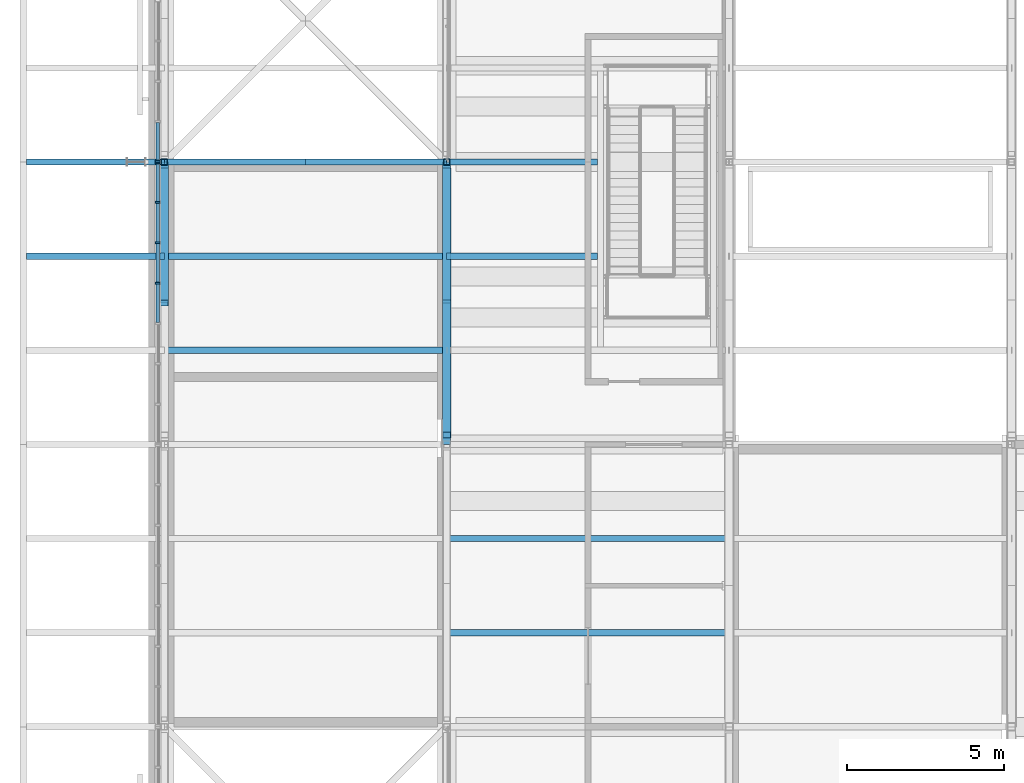
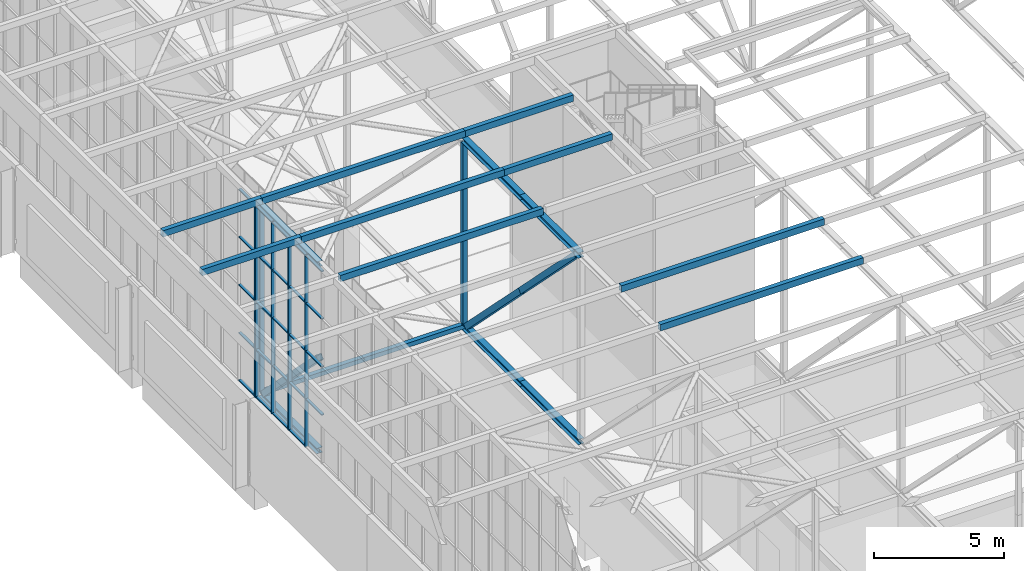
# One storey, part 26 of 646: 53 members, 2 elements without a shape of their own.
"""IFC4 building model written with IfcOpenShell, lengths in metres."""

import ifcopenshell
import ifcopenshell.guid

model = None  # the IFC model being written
_history = None  # IfcOwnerHistory: only IFC2X3 demands one
_inside = {}  # id of a spatial element -> (the spatial element, [elements in it])
_under = {}  # id of a project, library or spatial element -> (it, [spatial elements below it])
_declared = {}  # id of a project -> (the project, [libraries it declares])
_typed = {}  # id of a type object -> (the type object, [elements of that type])
_made_of = {}  # id of a material, layer set ... -> (it, [elements and type objects made of it])


def new_model(schema):
    """Start an empty IFC model of exactly this schema.

    Asked for "IFC4X3", IfcOpenShell would pick the latest addendum, in which some entities
    have other attributes; the version numbers below select the first issue.
    IFC2X3 requires an IfcOwnerHistory on every rooted entity: one is made here for all.
    """
    global model, _history
    if schema == "IFC4X3":
        model = ifcopenshell.file(schema_version=(4, 3, 0, 0))
    else:
        model = ifcopenshell.file(schema=schema)
    _inside.clear()
    _under.clear()
    _declared.clear()
    _typed.clear()
    _made_of.clear()
    _history = None
    if model.schema == "IFC2X3":
        org = make("IfcOrganization", Name="unknown")
        user = make(
            "IfcPersonAndOrganization",
            ThePerson=make("IfcPerson", FamilyName="unknown"),
            TheOrganization=org,
        )
        app = make(
            "IfcApplication",
            ApplicationDeveloper=org,
            Version="unknown",
            ApplicationFullName="unknown",
            ApplicationIdentifier="unknown",
        )
        _history = make(
            "IfcOwnerHistory",
            OwningUser=user,
            OwningApplication=app,
            ChangeAction="ADDED",
            CreationDate=0,
        )
    return model


def make(cls, **values):
    """One entity of the class cls with the attributes given. An attribute that is None is left unset."""
    return model.create_entity(
        cls, **{name: value for name, value in values.items() if value is not None}
    )


def rooted(cls, **values):
    """An entity with a GlobalId (a new one), such as an element, a storey or a relation."""
    return make(cls, GlobalId=ifcopenshell.guid.new(), OwnerHistory=_history, **values)


def si_unit(unit_type, name, prefix=None):
    """IfcSIUnit, for example si_unit("LENGTHUNIT", "METRE", prefix="MILLI")."""
    return make("IfcSIUnit", UnitType=unit_type, Prefix=prefix, Name=name)


def assignment(units):
    """IfcUnitAssignment: the units of a project."""
    return None if units is None else make("IfcUnitAssignment", Units=units)


def point(xyz):
    """IfcCartesianPoint."""
    return None if xyz is None else make("IfcCartesianPoint", Coordinates=xyz)


def direction(xyz):
    """IfcDirection."""
    return None if xyz is None else make("IfcDirection", DirectionRatios=xyz)


def frame(location, z_axis=None, x_axis=None):
    """IfcAxis2Placement3D, a coordinate frame: its origin and axes. An axis left out is left unset."""
    return make(
        "IfcAxis2Placement3D",
        Location=point(location),
        Axis=direction(z_axis),
        RefDirection=direction(x_axis),
    )


def frame_2d(location, x_axis=None):
    """IfcAxis2Placement2D, a coordinate frame in the plane: its origin and x axis."""
    return make(
        "IfcAxis2Placement2D", Location=point(location), RefDirection=direction(x_axis)
    )


def origin():
    """The frame at (0, 0, 0) with its axes left unset."""
    return frame((0.0, 0.0, 0.0))


def origin_2d():
    """The frame at (0, 0) in the plane with its x axis left unset."""
    return frame_2d((0.0, 0.0))


def place(relative_to, where):
    """IfcLocalPlacement: puts the frame where relative to a parent placement (None: the world)."""
    return make(
        "IfcLocalPlacement", PlacementRelTo=relative_to, RelativePlacement=where
    )


def context(
    kind, dimensions, precision=None, world=None, true_north=None, identifier=None
):
    """IfcGeometricRepresentationContext, for example the 3D "Model" context."""
    return make(
        "IfcGeometricRepresentationContext",
        ContextIdentifier=identifier,
        ContextType=kind,
        CoordinateSpaceDimension=dimensions,
        Precision=precision,
        WorldCoordinateSystem=world,
        TrueNorth=true_north,
    )


def subcontext(parent, identifier, kind, view, scale=None):
    """IfcGeometricRepresentationSubContext, for example "Body" below "Model"."""
    return make(
        "IfcGeometricRepresentationSubContext",
        ContextIdentifier=identifier,
        ContextType=kind,
        ParentContext=parent,
        TargetScale=scale,
        TargetView=view,
    )


def project(units=None, contexts=None):
    """IfcProject with its units and contexts."""
    return rooted(
        "IfcProject",
        Name="project",
        RepresentationContexts=contexts,
        UnitsInContext=assignment(units),
    )


def spatial(cls, under=None, at=None, **own):
    """A site, building, storey or space (cls), placed at a placement, below another one or the project."""
    s = rooted(cls, ObjectPlacement=at, **own)
    if under is not None:
        _under.setdefault(under.id(), (under, []))[1].append(s)
    return s


def profile(cls, at=None, kind="AREA", **sizes):
    """A parametric profile (cls). Its sizes go by their IFC names, for example OverallWidth=200.0."""
    return make(cls, ProfileType=kind, Position=at, **sizes)


def rectangle(**sizes):
    """IfcRectangleProfileDef."""
    return profile("IfcRectangleProfileDef", **sizes)


def hollow_rectangle(**sizes):
    """IfcRectangleHollowProfileDef."""
    return profile("IfcRectangleHollowProfileDef", **sizes)


def i_section(**sizes):
    """IfcIShapeProfileDef."""
    return profile("IfcIShapeProfileDef", **sizes)


def extrude(swept, where, along, depth):
    """IfcExtrudedAreaSolid: the profile swept, set in the frame where, extruded along a direction by depth."""
    return make(
        "IfcExtrudedAreaSolid",
        SweptArea=swept,
        Position=where,
        ExtrudedDirection=direction(along),
        Depth=depth,
    )


def shape(context_of_items, identifier, shape_type, items):
    """IfcShapeRepresentation: the items that make up one representation, for example the "Body"."""
    return make(
        "IfcShapeRepresentation",
        ContextOfItems=context_of_items,
        RepresentationIdentifier=identifier,
        RepresentationType=shape_type,
        Items=items,
    )


def material(Name=None, Category=None):
    """IfcMaterial."""
    return make("IfcMaterial", Name=Name, Category=Category)


def material_profile(
    of_material, cross_section, Name=None, Category=None, Priority=None
):
    """IfcMaterialProfile: a cross section and its material."""
    return make(
        "IfcMaterialProfile",
        Name=Name,
        Material=of_material,
        Profile=cross_section,
        Priority=Priority,
        Category=Category,
    )


def profile_set(profiles, Name=None, composite=None):
    """IfcMaterialProfileSet."""
    return make(
        "IfcMaterialProfileSet",
        Name=Name,
        MaterialProfiles=profiles,
        CompositeProfile=composite,
    )


def made_of(thing, what):
    """Note that an element or type object is made of a material, layer set ...; save() writes the relation."""
    if what is not None:
        _made_of.setdefault(what.id(), (what, []))[1].append(thing)
    return thing


def type_object(cls, material=None, **own):
    """A type object (cls), such as IfcWallType, which elements share."""
    return made_of(rooted(cls, **own), material)


def element(
    cls,
    number,
    at=None,
    inside=None,
    cuts=None,
    type_object=None,
    material=None,
    context=None,
    identifier="Body",
    shape_type=None,
    held_by="IfcProductDefinitionShape",
    body=None,
    shapes=None,
    **own,
):
    """One element of the class cls, such as IfcWall. Its Tag is "e" and its number.

    at: its placement. inside: the storey or other place that contains it. cuts: it is an
    opening in that element (IfcRelVoidsElement). A single representation is given by context,
    identifier, shape_type and body (its items); several are given by shapes. held_by: the class
    of the entity that holds the representations. save() writes the other relations.
    """
    e = rooted(cls, Tag="e%d" % number, ObjectPlacement=at, **own)
    if body is not None:
        shapes = [shape(context, identifier, shape_type, body)]
    if shapes is not None:
        e.Representation = make(held_by, Representations=shapes)
    if inside is not None:
        _inside.setdefault(inside.id(), (inside, []))[1].append(e)
    if cuts is not None:
        rooted(
            "IfcRelVoidsElement", RelatingBuildingElement=cuts, RelatedOpeningElement=e
        )
    if type_object is not None:
        _typed.setdefault(type_object.id(), (type_object, []))[1].append(e)
    return made_of(e, material)


def aggregate(whole, parts):
    """IfcRelAggregates: a whole, such as a stair, and the parts it consists of."""
    return rooted("IfcRelAggregates", RelatingObject=whole, RelatedObjects=parts)


def save(model, path):
    """Write the relations noted so far, then the file.

    IfcRelAggregates (storeys below a building ...), IfcRelContainedInSpatialStructure (elements
    in a storey), IfcRelDefinesByType, IfcRelAssociatesMaterial and IfcRelDeclares: one each for
    every whole, place, type object, material and project.
    """
    for whole, parts in _under.values():
        aggregate(whole, parts)
    for where, things in _inside.values():
        rooted(
            "IfcRelContainedInSpatialStructure",
            RelatedElements=things,
            RelatingStructure=where,
        )
    for kind, things in _typed.values():
        rooted("IfcRelDefinesByType", RelatedObjects=things, RelatingType=kind)
    for what, things in _made_of.values():
        rooted("IfcRelAssociatesMaterial", RelatedObjects=things, RelatingMaterial=what)
    for by, libraries in _declared.values():
        rooted("IfcRelDeclares", RelatingContext=by, RelatedDefinitions=libraries)
    model.write(path)


model = new_model("IFC4")

# Units and contexts
model_context = context("Model", 3, precision=1e-05, world=origin(), true_north=direction((0.0, 1.0)))
body_context = subcontext(model_context, "Body", "Model", "MODEL_VIEW")
ifc_project = project(units=[si_unit("LENGTHUNIT", "METRE"), si_unit("AREAUNIT", "SQUARE_METRE"), si_unit("VOLUMEUNIT", "CUBIC_METRE"), si_unit("PLANEANGLEUNIT", "RADIAN"), si_unit("MASSUNIT", "GRAM", prefix="KILO")], contexts=[model_context])

# Site, building, storey
site_placement = place(None, origin())
site = spatial("IfcSite", under=ifc_project, at=site_placement, CompositionType="ELEMENT")
building_placement = place(site_placement, origin())
building = spatial("IfcBuilding", under=site, at=building_placement, Name="Silverbay Arena", CompositionType="ELEMENT")
storey_placement = place(building_placement, frame((0.0, 0.0, 33.5)))
storey = spatial("IfcBuildingStorey", under=building, at=storey_placement, Name="L05", CompositionType="ELEMENT", Elevation=33.5)

# Members
ifc_material_1 = material(Name="Steel S355", Category="steel")
ifc_material_profile_1 = material_profile(ifc_material_1, hollow_rectangle(XDim=0.199951171875, YDim=0.199951171875, WallThickness=0.008056640625, at=origin_2d()), Name="SHS 200x200x8")
ifc_profile_set_1 = profile_set([ifc_material_profile_1], Name="Steel S355")
member_type_1 = type_object("IfcMemberType", Name="Bracing strut SHS 200x200x8", PredefinedType="STRUT", material=ifc_profile_set_1)
for number, where, z_axis, x_axis, name in (
    (1, (54.0, 72.0, 4.126953125), (1.0, 0.0, 0.0), (0.0, 1.0, 0.0), "ROOF BRACING strut 7-8 line 08a"),
    (2, (58.5, 72.0, 4.126953125), (1.0, 0.0, 0.0), (0.0, 1.0, 0.0), "ROOF BRACING strut 7-8 line 08b"),
):
    element("IfcMember", number, at=place(storey_placement, frame(where, z_axis=z_axis, x_axis=x_axis)), inside=storey, type_object=member_type_1, Name=name, PredefinedType="STRUT", context=body_context, shape_type="SweptSolid", body=[
        extrude(hollow_rectangle(XDim=0.199951171875, YDim=0.199951171875, WallThickness=0.008056640625, at=origin_2d()), origin(), (0.0, 0.0, 1.0), 4.5),
    ])

# Curtain wall, members
ifc_material_2 = material(Name="Aluminium framed glazing", Category="aluminium")
curtain_wall_type = type_object("IfcCurtainWallType", Name="Curtain wall clerestory 9000 x 9000", PredefinedType="NOTDEFINED", material=ifc_material_2)
curtain_wall_1_placement = place(storey_placement, origin())
curtain_wall_1 = element("IfcCurtainWall", 3, at=curtain_wall_1_placement, inside=storey, type_object=curtain_wall_type, Name="ROOF GABLE CLERESTORY CURTAIN WALL west bay 07", PredefinedType="NOTDEFINED")
ifc_material_3 = material(Name="Aluminium", Category="aluminium")
ifc_material_profile_2 = material_profile(ifc_material_3, rectangle(XDim=0.159912109375, YDim=0.06005859375, at=origin_2d()), Name="Mullion 60 x 160")
ifc_profile_set_2 = profile_set([ifc_material_profile_2], Name="Aluminium")
member_type_2 = type_object("IfcMemberType", Name="Mullion 60 x 160", PredefinedType="MULLION", material=ifc_profile_set_2)
member_1_placement = place(storey_placement, frame((53.7900390625, 68.142822265625, 4.0), z_axis=(0.0, 0.0, 1.0), x_axis=(-1.0, 0.0, 0.0)))
member_1 = element("IfcMember", 4, at=member_1_placement, type_object=member_type_2, Name="CW60 mullion 5", PredefinedType="MULLION", context=body_context, shape_type="SweptSolid", body=[
    extrude(rectangle(XDim=0.159912109375, YDim=0.06005859375, at=origin_2d()), origin(), (0.0, 0.0, 1.0), 9.0),
])
member_2_placement = place(storey_placement, frame((53.7900390625, 69.428466796875, 4.0), z_axis=(0.0, 0.0, 1.0), x_axis=(-1.0, 0.0, 0.0)))
member_2 = element("IfcMember", 5, at=member_2_placement, type_object=member_type_2, Name="CW60 mullion 6", PredefinedType="MULLION", context=body_context, shape_type="SweptSolid", body=[
    extrude(rectangle(XDim=0.159912109375, YDim=0.06005859375, at=origin_2d()), origin(), (0.0, 0.0, 1.0), 9.0),
])
member_3_placement = place(storey_placement, frame((53.7900390625, 70.71435546875, 4.0), z_axis=(0.0, 0.0, 1.0), x_axis=(-1.0, 0.0, 0.0)))
member_3 = element("IfcMember", 6, at=member_3_placement, type_object=member_type_2, Name="CW60 mullion 7", PredefinedType="MULLION", context=body_context, shape_type="SweptSolid", body=[
    extrude(rectangle(XDim=0.159912109375, YDim=0.06005859375, at=origin_2d()), origin(), (0.0, 0.0, 1.0), 9.0),
])
member_4_placement = place(storey_placement, frame((53.7900390625, 71.969970703125, 4.0), z_axis=(0.0, 0.0, 1.0), x_axis=(-1.0, 0.0, 0.0)))
member_4 = element("IfcMember", 7, at=member_4_placement, type_object=member_type_2, Name="CW60 mullion 8", PredefinedType="MULLION", context=body_context, shape_type="SweptSolid", body=[
    extrude(rectangle(XDim=0.159912109375, YDim=0.06005859375, at=origin_2d()), origin(), (0.0, 0.0, 1.0), 9.0),
])

# Curtain wall, member
curtain_wall_2_placement = place(storey_placement, origin())
curtain_wall_2 = element("IfcCurtainWall", 8, at=curtain_wall_2_placement, inside=storey, type_object=curtain_wall_type, Name="ROOF GABLE CLERESTORY CURTAIN WALL west bay 08", PredefinedType="NOTDEFINED")
member_5_placement = place(storey_placement, frame((53.7900390625, 72.030029296875, 4.0), z_axis=(0.0, 0.0, 1.0), x_axis=(-1.0, 0.0, 0.0)))
member_5 = element("IfcMember", 9, at=member_5_placement, type_object=member_type_2, Name="CW60 mullion 1", PredefinedType="MULLION", context=body_context, shape_type="SweptSolid", body=[
    extrude(rectangle(XDim=0.159912109375, YDim=0.06005859375, at=origin_2d()), origin(), (0.0, 0.0, 1.0), 9.0),
])

# Members
ifc_material_4 = material(Name="Steel S355", Category="steel")
ifc_material_profile_3 = material_profile(ifc_material_4, hollow_rectangle(XDim=0.199951171875, YDim=0.300048828125, WallThickness=0.00634765625, at=origin_2d()), Name="RHS 300x200x6.3")
ifc_profile_set_3 = profile_set([ifc_material_profile_3], Name="Steel S355")
member_type_3 = type_object("IfcMemberType", Name="Purlin RHS 300x200x6.3", PredefinedType="PURLIN", material=ifc_profile_set_3)
for number, where, z_axis, x_axis, name in (
    (10, (63.0, 57.0, 13.14990234375), (1.0, 0.0, 0.0), (0.0, 1.0, 0.0), "ROOF PURLIN 8-9 line 17"),
    (11, (63.0, 60.0, 13.14990234375), (1.0, 0.0, 0.0), (0.0, 1.0, 0.0), "ROOF PURLIN 8-9 line 18"),
):
    element("IfcMember", number, at=place(storey_placement, frame(where, z_axis=z_axis, x_axis=x_axis)), inside=storey, type_object=member_type_3, Name=name, PredefinedType="PURLIN", context=body_context, shape_type="SweptSolid", body=[
        extrude(hollow_rectangle(XDim=0.199951171875, YDim=0.300048828125, WallThickness=0.00634765625, at=origin_2d()), origin(), (0.0, 0.0, 1.0), 9.0),
    ])
for number, where, z_axis, x_axis, name in (
    (12, (63.0, 69.0, 13.14990234375), (1.0, 0.0, 0.0), (0.0, 1.0, 0.0), "ROOF PURLIN 8-9 line 21 west of opening RA1"),
    (13, (63.0, 72.0, 13.14990234375), (1.0, 0.0, 0.0), (0.0, 1.0, 0.0), "ROOF PURLIN 8-9 line 22 west of opening RA1"),
):
    element("IfcMember", number, at=place(storey_placement, frame(where, z_axis=z_axis, x_axis=x_axis)), inside=storey, type_object=member_type_3, Name=name, PredefinedType="PURLIN", context=body_context, shape_type="SweptSolid", body=[
        extrude(hollow_rectangle(XDim=0.199951171875, YDim=0.300048828125, WallThickness=0.00634765625, at=origin_2d()), origin(), (0.0, 0.0, 1.0), 4.800048828125),
    ])
ifc_material_5 = material(Name="Steel S355", Category="steel")
ifc_material_profile_4 = material_profile(ifc_material_5, hollow_rectangle(XDim=0.199951171875, YDim=0.300048828125, WallThickness=0.008056640625, at=origin_2d()), Name="RHS 300x200x8")
ifc_profile_set_4 = profile_set([ifc_material_profile_4], Name="Steel S355")
member_type_4 = type_object("IfcMemberType", Name="Purlin RHS 300x200x8", PredefinedType="PURLIN", material=ifc_profile_set_4)
for number, where, z_axis, x_axis, name in (
    (14, (54.0, 66.0, 13.14990234375), (1.0, 0.0, 0.0), (0.0, 1.0, 0.0), "ROOF PURLIN 7-8 line 20"),
    (15, (54.0, 69.0, 13.14990234375), (1.0, 0.0, 0.0), (0.0, 1.0, 0.0), "ROOF PURLIN 7-8 line 21"),
    (16, (54.0, 72.0, 13.14990234375), (1.0, 0.0, 0.0), (0.0, 1.0, 0.0), "ROOF PURLIN 7-8 line 22"),
):
    element("IfcMember", number, at=place(storey_placement, frame(where, z_axis=z_axis, x_axis=x_axis)), inside=storey, type_object=member_type_4, Name=name, PredefinedType="PURLIN", context=body_context, shape_type="SweptSolid", body=[
        extrude(hollow_rectangle(XDim=0.199951171875, YDim=0.300048828125, WallThickness=0.008056640625, at=origin_2d()), origin(), (0.0, 0.0, 1.0), 9.0),
    ])
for number, where, z_axis, x_axis, name in (
    (17, (49.60009765625, 69.0, 13.14990234375), (1.0, 0.0, 0.0), (0.0, 1.0, 0.0), "ROOF PURLIN west eave line 21"),
    (18, (49.60009765625, 72.0, 13.14990234375), (1.0, 0.0, 0.0), (0.0, 1.0, 0.0), "ROOF PURLIN west eave line 22"),
):
    element("IfcMember", number, at=place(storey_placement, frame(where, z_axis=z_axis, x_axis=x_axis)), inside=storey, type_object=member_type_4, Name=name, PredefinedType="PURLIN", context=body_context, shape_type="SweptSolid", body=[
        extrude(hollow_rectangle(XDim=0.199951171875, YDim=0.300048828125, WallThickness=0.008056640625, at=origin_2d()), origin(), (0.0, 0.0, 1.0), 4.39990234375),
    ])
ifc_material_6 = material(Name="Steel S355", Category="steel")
ifc_material_profile_5 = material_profile(ifc_material_6, i_section(OverallWidth=0.254638671875, OverallDepth=0.254150390625, WebThickness=0.008544921875, FlangeThickness=0.01416015625, at=origin_2d()), Name="UC 254x254x73")
ifc_profile_set_5 = profile_set([ifc_material_profile_5], Name="Steel S355")
member_type_5 = type_object("IfcMemberType", Name="Short-span bottom chord UC 254x254x73", PredefinedType="CHORD", material=ifc_profile_set_5)
for number, where, z_axis, x_axis, name in (
    (19, (54.0, 67.5, 4.126953125), (0.0, 1.0, 0.0), (-1.0, 0.0, 0.0), "ROOF TRUSS 7 bottom chord 07b"),
    (20, (63.0, 63.0, 4.126953125), (0.0, 1.0, 0.0), (-1.0, 0.0, 0.0), "ROOF TRUSS 8 bottom chord 07a"),
    (21, (63.0, 67.5, 4.126953125), (0.0, 1.0, 0.0), (-1.0, 0.0, 0.0), "ROOF TRUSS 8 bottom chord 07b"),
):
    element("IfcMember", number, at=place(storey_placement, frame(where, z_axis=z_axis, x_axis=x_axis)), inside=storey, type_object=member_type_5, Name=name, PredefinedType="CHORD", context=body_context, shape_type="SweptSolid", body=[
        extrude(i_section(OverallWidth=0.254638671875, OverallDepth=0.254150390625, WebThickness=0.008544921875, FlangeThickness=0.01416015625, at=origin_2d()), origin(), (0.0, 0.0, 1.0), 4.5),
    ])
ifc_material_7 = material(Name="Steel S355", Category="steel")
ifc_material_profile_6 = material_profile(ifc_material_7, i_section(OverallWidth=0.254638671875, OverallDepth=0.254150390625, WebThickness=0.008544921875, FlangeThickness=0.01416015625, at=origin_2d()), Name="UC 254x254x73")
ifc_profile_set_6 = profile_set([ifc_material_profile_6], Name="Steel S355")
member_type_6 = type_object("IfcMemberType", Name="Short-span top chord UC 254x254x73", PredefinedType="CHORD", material=ifc_profile_set_6)
for number, where, z_axis, x_axis, name in (
    (22, (54.0, 67.5, 12.873046875), (0.0, 1.0, 0.0), (-1.0, 0.0, 0.0), "ROOF TRUSS 7 top chord 07b"),
    (23, (63.0, 63.0, 12.873046875), (0.0, 1.0, 0.0), (-1.0, 0.0, 0.0), "ROOF TRUSS 8 top chord 07a"),
    (24, (63.0, 67.5, 12.873046875), (0.0, 1.0, 0.0), (-1.0, 0.0, 0.0), "ROOF TRUSS 8 top chord 07b"),
):
    element("IfcMember", number, at=place(storey_placement, frame(where, z_axis=z_axis, x_axis=x_axis)), inside=storey, type_object=member_type_6, Name=name, PredefinedType="CHORD", context=body_context, shape_type="SweptSolid", body=[
        extrude(i_section(OverallWidth=0.254638671875, OverallDepth=0.254150390625, WebThickness=0.008544921875, FlangeThickness=0.01416015625, at=origin_2d()), origin(), (0.0, 0.0, 1.0), 4.5),
    ])
ifc_material_8 = material(Name="Steel S355", Category="steel")
ifc_material_profile_7 = material_profile(ifc_material_8, hollow_rectangle(XDim=0.260009765625, YDim=0.260009765625, WallThickness=0.010009765625, at=origin_2d()), Name="SHS 260x260x10")
ifc_profile_set_7 = profile_set([ifc_material_profile_7], Name="Steel S355")
member_type_7 = type_object("IfcMemberType", Name="Short-span truss diagonal SHS 260x260x10", PredefinedType="BRACE", material=ifc_profile_set_7)
for number, where, z_axis, x_axis, name in (
    (25, (54.0, 67.5048828125, 8.5), (0.0, 0.703728402193, -0.710469095701), (-1.0, 0.0, 0.0), "ROOF TRUSS 7 diagonal 07b"),
    (26, (63.0, 63.29931640625, 12.745849609375), (0.0, 0.703728402193, -0.710469095701), (-1.0, 0.0, 0.0), "ROOF TRUSS 8 diagonal 07a"),
    (27, (63.0, 67.5048828125, 8.5), (0.0, 0.703728402193, -0.710469095701), (-1.0, 0.0, 0.0), "ROOF TRUSS 8 diagonal 07b"),
):
    element("IfcMember", number, at=place(storey_placement, frame(where, z_axis=z_axis, x_axis=x_axis)), inside=storey, type_object=member_type_7, Name=name, PredefinedType="BRACE", context=body_context, shape_type="SweptSolid", body=[
        extrude(hollow_rectangle(XDim=0.260009765625, YDim=0.260009765625, WallThickness=0.010009765625, at=origin_2d()), origin(), (0.0, 0.0, 1.0), 5.97607421875),
    ])
ifc_material_9 = material(Name="Steel S355", Category="steel")
ifc_material_profile_8 = material_profile(ifc_material_9, hollow_rectangle(XDim=0.199951171875, YDim=0.199951171875, WallThickness=0.008056640625, at=origin_2d()), Name="SHS 200x200x8")
ifc_profile_set_8 = profile_set([ifc_material_profile_8], Name="Steel S355")
member_type_8 = type_object("IfcMemberType", Name="Short-span truss vertical SHS 200x200x8", PredefinedType="STRUT", material=ifc_profile_set_8)
for number, where, z_axis, x_axis, name in (
    (28, (54.0, 72.0, 4.254150390625), (0.0, 0.0, 1.0), (1.0, 0.0, 0.0), "ROOF TRUSS 7 vertical 08a"),
    (29, (54.0, 72.0, 8.5), (0.0, 0.0, 1.0), (1.0, 0.0, 0.0), "ROOF TRUSS 7 vertical 08b"),
    (30, (63.0, 72.0, 4.254150390625), (0.0, 0.0, 1.0), (1.0, 0.0, 0.0), "ROOF TRUSS 8 vertical 08a"),
    (31, (63.0, 72.0, 8.5), (0.0, 0.0, 1.0), (1.0, 0.0, 0.0), "ROOF TRUSS 8 vertical 08b"),
):
    element("IfcMember", number, at=place(storey_placement, frame(where, z_axis=z_axis, x_axis=x_axis)), inside=storey, type_object=member_type_8, Name=name, PredefinedType="STRUT", context=body_context, shape_type="SweptSolid", body=[
        extrude(hollow_rectangle(XDim=0.199951171875, YDim=0.199951171875, WallThickness=0.008056640625, at=origin_2d()), origin(), (0.0, 0.0, 1.0), 4.245849609375),
    ])

# Member
ifc_material_10 = material(Name="Aluminium", Category="aluminium")
ifc_material_profile_9 = material_profile(ifc_material_10, rectangle(XDim=0.1201171875, YDim=0.050048828125, at=origin_2d()), Name="Transom 50 x 120")
ifc_profile_set_9 = profile_set([ifc_material_profile_9], Name="Aluminium")
member_type_9 = type_object("IfcMemberType", Name="Transom 50 x 120", PredefinedType="USERDEFINED", material=ifc_profile_set_9)
member_6_placement = place(storey_placement, frame((53.7900390625, 66.88720703125, 6.25), z_axis=(0.0, 1.0, 0.0), x_axis=(-1.0, 0.0, 0.0)))
member_6 = element("IfcMember", 32, at=member_6_placement, type_object=member_type_9, Name="CW60 transom 4.2", ObjectType="TRANSOM", PredefinedType="USERDEFINED", context=body_context, shape_type="SweptSolid", body=[
    extrude(rectangle(XDim=0.1201171875, YDim=0.050048828125, at=origin_2d()), origin(), (0.0, 0.0, 1.0), 1.2255859375),
])

member_7_placement = place(storey_placement, frame((53.7900390625, 66.88720703125, 8.5), z_axis=(0.0, 1.0, 0.0), x_axis=(-1.0, 0.0, 0.0)))
member_7 = element("IfcMember", 33, at=member_7_placement, type_object=member_type_9, Name="CW60 transom 4.3", ObjectType="TRANSOM", PredefinedType="USERDEFINED", context=body_context, shape_type="SweptSolid", body=[
    extrude(rectangle(XDim=0.1201171875, YDim=0.050048828125, at=origin_2d()), origin(), (0.0, 0.0, 1.0), 1.2255859375),
])

member_8_placement = place(storey_placement, frame((53.7900390625, 66.88720703125, 10.75), z_axis=(0.0, 1.0, 0.0), x_axis=(-1.0, 0.0, 0.0)))
member_8 = element("IfcMember", 34, at=member_8_placement, type_object=member_type_9, Name="CW60 transom 4.4", ObjectType="TRANSOM", PredefinedType="USERDEFINED", context=body_context, shape_type="SweptSolid", body=[
    extrude(rectangle(XDim=0.1201171875, YDim=0.050048828125, at=origin_2d()), origin(), (0.0, 0.0, 1.0), 1.2255859375),
])

member_9_placement = place(storey_placement, frame((53.7900390625, 66.88720703125, 12.97509765625), z_axis=(0.0, 1.0, 0.0), x_axis=(-1.0, 0.0, 0.0)))
member_9 = element("IfcMember", 35, at=member_9_placement, type_object=member_type_9, Name="CW60 transom 4.5", ObjectType="TRANSOM", PredefinedType="USERDEFINED", context=body_context, shape_type="SweptSolid", body=[
    extrude(rectangle(XDim=0.1201171875, YDim=0.050048828125, at=origin_2d()), origin(), (0.0, 0.0, 1.0), 1.2255859375),
])

member_10_placement = place(storey_placement, frame((53.7900390625, 68.1728515625, 4.02490234375), z_axis=(0.0, 1.0, 0.0), x_axis=(-1.0, 0.0, 0.0)))
member_10 = element("IfcMember", 36, at=member_10_placement, type_object=member_type_9, Name="CW60 transom 5.1", ObjectType="TRANSOM", PredefinedType="USERDEFINED", context=body_context, shape_type="SweptSolid", body=[
    extrude(rectangle(XDim=0.1201171875, YDim=0.050048828125, at=origin_2d()), origin(), (0.0, 0.0, 1.0), 1.225830078125),
])

member_11_placement = place(storey_placement, frame((53.7900390625, 68.1728515625, 6.25), z_axis=(0.0, 1.0, 0.0), x_axis=(-1.0, 0.0, 0.0)))
member_11 = element("IfcMember", 37, at=member_11_placement, type_object=member_type_9, Name="CW60 transom 5.2", ObjectType="TRANSOM", PredefinedType="USERDEFINED", context=body_context, shape_type="SweptSolid", body=[
    extrude(rectangle(XDim=0.1201171875, YDim=0.050048828125, at=origin_2d()), origin(), (0.0, 0.0, 1.0), 1.225830078125),
])

member_12_placement = place(storey_placement, frame((53.7900390625, 68.1728515625, 8.5), z_axis=(0.0, 1.0, 0.0), x_axis=(-1.0, 0.0, 0.0)))
member_12 = element("IfcMember", 38, at=member_12_placement, type_object=member_type_9, Name="CW60 transom 5.3", ObjectType="TRANSOM", PredefinedType="USERDEFINED", context=body_context, shape_type="SweptSolid", body=[
    extrude(rectangle(XDim=0.1201171875, YDim=0.050048828125, at=origin_2d()), origin(), (0.0, 0.0, 1.0), 1.225830078125),
])

member_13_placement = place(storey_placement, frame((53.7900390625, 68.1728515625, 10.75), z_axis=(0.0, 1.0, 0.0), x_axis=(-1.0, 0.0, 0.0)))
member_13 = element("IfcMember", 39, at=member_13_placement, type_object=member_type_9, Name="CW60 transom 5.4", ObjectType="TRANSOM", PredefinedType="USERDEFINED", context=body_context, shape_type="SweptSolid", body=[
    extrude(rectangle(XDim=0.1201171875, YDim=0.050048828125, at=origin_2d()), origin(), (0.0, 0.0, 1.0), 1.225830078125),
])

member_14_placement = place(storey_placement, frame((53.7900390625, 68.1728515625, 12.97509765625), z_axis=(0.0, 1.0, 0.0), x_axis=(-1.0, 0.0, 0.0)))
member_14 = element("IfcMember", 40, at=member_14_placement, type_object=member_type_9, Name="CW60 transom 5.5", ObjectType="TRANSOM", PredefinedType="USERDEFINED", context=body_context, shape_type="SweptSolid", body=[
    extrude(rectangle(XDim=0.1201171875, YDim=0.050048828125, at=origin_2d()), origin(), (0.0, 0.0, 1.0), 1.225830078125),
])

member_15_placement = place(storey_placement, frame((53.7900390625, 69.45849609375, 4.02490234375), z_axis=(0.0, 1.0, 0.0), x_axis=(-1.0, 0.0, 0.0)))
member_15 = element("IfcMember", 41, at=member_15_placement, type_object=member_type_9, Name="CW60 transom 6.1", ObjectType="TRANSOM", PredefinedType="USERDEFINED", context=body_context, shape_type="SweptSolid", body=[
    extrude(rectangle(XDim=0.1201171875, YDim=0.050048828125, at=origin_2d()), origin(), (0.0, 0.0, 1.0), 1.225830078125),
])

member_16_placement = place(storey_placement, frame((53.7900390625, 69.45849609375, 6.25), z_axis=(0.0, 1.0, 0.0), x_axis=(-1.0, 0.0, 0.0)))
member_16 = element("IfcMember", 42, at=member_16_placement, type_object=member_type_9, Name="CW60 transom 6.2", ObjectType="TRANSOM", PredefinedType="USERDEFINED", context=body_context, shape_type="SweptSolid", body=[
    extrude(rectangle(XDim=0.1201171875, YDim=0.050048828125, at=origin_2d()), origin(), (0.0, 0.0, 1.0), 1.225830078125),
])

member_17_placement = place(storey_placement, frame((53.7900390625, 69.45849609375, 8.5), z_axis=(0.0, 1.0, 0.0), x_axis=(-1.0, 0.0, 0.0)))
member_17 = element("IfcMember", 43, at=member_17_placement, type_object=member_type_9, Name="CW60 transom 6.3", ObjectType="TRANSOM", PredefinedType="USERDEFINED", context=body_context, shape_type="SweptSolid", body=[
    extrude(rectangle(XDim=0.1201171875, YDim=0.050048828125, at=origin_2d()), origin(), (0.0, 0.0, 1.0), 1.225830078125),
])

member_18_placement = place(storey_placement, frame((53.7900390625, 69.45849609375, 10.75), z_axis=(0.0, 1.0, 0.0), x_axis=(-1.0, 0.0, 0.0)))
member_18 = element("IfcMember", 44, at=member_18_placement, type_object=member_type_9, Name="CW60 transom 6.4", ObjectType="TRANSOM", PredefinedType="USERDEFINED", context=body_context, shape_type="SweptSolid", body=[
    extrude(rectangle(XDim=0.1201171875, YDim=0.050048828125, at=origin_2d()), origin(), (0.0, 0.0, 1.0), 1.225830078125),
])

member_19_placement = place(storey_placement, frame((53.7900390625, 69.45849609375, 12.97509765625), z_axis=(0.0, 1.0, 0.0), x_axis=(-1.0, 0.0, 0.0)))
member_19 = element("IfcMember", 45, at=member_19_placement, type_object=member_type_9, Name="CW60 transom 6.5", ObjectType="TRANSOM", PredefinedType="USERDEFINED", context=body_context, shape_type="SweptSolid", body=[
    extrude(rectangle(XDim=0.1201171875, YDim=0.050048828125, at=origin_2d()), origin(), (0.0, 0.0, 1.0), 1.225830078125),
])

member_20_placement = place(storey_placement, frame((53.7900390625, 70.744384765625, 4.02490234375), z_axis=(0.0, 1.0, 0.0), x_axis=(-1.0, 0.0, 0.0)))
member_20 = element("IfcMember", 46, at=member_20_placement, type_object=member_type_9, Name="CW60 transom 7.1", ObjectType="TRANSOM", PredefinedType="USERDEFINED", context=body_context, shape_type="SweptSolid", body=[
    extrude(rectangle(XDim=0.1201171875, YDim=0.050048828125, at=origin_2d()), origin(), (0.0, 0.0, 1.0), 1.195556640625),
])

member_21_placement = place(storey_placement, frame((53.7900390625, 70.744384765625, 6.25), z_axis=(0.0, 1.0, 0.0), x_axis=(-1.0, 0.0, 0.0)))
member_21 = element("IfcMember", 47, at=member_21_placement, type_object=member_type_9, Name="CW60 transom 7.2", ObjectType="TRANSOM", PredefinedType="USERDEFINED", context=body_context, shape_type="SweptSolid", body=[
    extrude(rectangle(XDim=0.1201171875, YDim=0.050048828125, at=origin_2d()), origin(), (0.0, 0.0, 1.0), 1.195556640625),
])

member_22_placement = place(storey_placement, frame((53.7900390625, 70.744384765625, 8.5), z_axis=(0.0, 1.0, 0.0), x_axis=(-1.0, 0.0, 0.0)))
member_22 = element("IfcMember", 48, at=member_22_placement, type_object=member_type_9, Name="CW60 transom 7.3", ObjectType="TRANSOM", PredefinedType="USERDEFINED", context=body_context, shape_type="SweptSolid", body=[
    extrude(rectangle(XDim=0.1201171875, YDim=0.050048828125, at=origin_2d()), origin(), (0.0, 0.0, 1.0), 1.195556640625),
])

member_23_placement = place(storey_placement, frame((53.7900390625, 70.744384765625, 10.75), z_axis=(0.0, 1.0, 0.0), x_axis=(-1.0, 0.0, 0.0)))
member_23 = element("IfcMember", 49, at=member_23_placement, type_object=member_type_9, Name="CW60 transom 7.4", ObjectType="TRANSOM", PredefinedType="USERDEFINED", context=body_context, shape_type="SweptSolid", body=[
    extrude(rectangle(XDim=0.1201171875, YDim=0.050048828125, at=origin_2d()), origin(), (0.0, 0.0, 1.0), 1.195556640625),
])

member_24_placement = place(storey_placement, frame((53.7900390625, 70.744384765625, 12.97509765625), z_axis=(0.0, 1.0, 0.0), x_axis=(-1.0, 0.0, 0.0)))
member_24 = element("IfcMember", 50, at=member_24_placement, type_object=member_type_9, Name="CW60 transom 7.5", ObjectType="TRANSOM", PredefinedType="USERDEFINED", context=body_context, shape_type="SweptSolid", body=[
    extrude(rectangle(XDim=0.1201171875, YDim=0.050048828125, at=origin_2d()), origin(), (0.0, 0.0, 1.0), 1.195556640625),
])

aggregate(curtain_wall_1, [member_1, member_2, member_3, member_4, member_6, member_7, member_8, member_9, member_10, member_11, member_12, member_13, member_14, member_15, member_16, member_17, member_18, member_19, member_20, member_21, member_22, member_23, member_24])

member_25_placement = place(storey_placement, frame((53.7900390625, 72.06005859375, 4.02490234375), z_axis=(0.0, 1.0, 0.0), x_axis=(-1.0, 0.0, 0.0)))
member_25 = element("IfcMember", 51, at=member_25_placement, type_object=member_type_9, Name="CW60 transom 1.1", ObjectType="TRANSOM", PredefinedType="USERDEFINED", context=body_context, shape_type="SweptSolid", body=[
    extrude(rectangle(XDim=0.1201171875, YDim=0.050048828125, at=origin_2d()), origin(), (0.0, 0.0, 1.0), 1.195556640625),
])

member_26_placement = place(storey_placement, frame((53.7900390625, 72.06005859375, 6.25), z_axis=(0.0, 1.0, 0.0), x_axis=(-1.0, 0.0, 0.0)))
member_26 = element("IfcMember", 52, at=member_26_placement, type_object=member_type_9, Name="CW60 transom 1.2", ObjectType="TRANSOM", PredefinedType="USERDEFINED", context=body_context, shape_type="SweptSolid", body=[
    extrude(rectangle(XDim=0.1201171875, YDim=0.050048828125, at=origin_2d()), origin(), (0.0, 0.0, 1.0), 1.195556640625),
])

member_27_placement = place(storey_placement, frame((53.7900390625, 72.06005859375, 8.5), z_axis=(0.0, 1.0, 0.0), x_axis=(-1.0, 0.0, 0.0)))
member_27 = element("IfcMember", 53, at=member_27_placement, type_object=member_type_9, Name="CW60 transom 1.3", ObjectType="TRANSOM", PredefinedType="USERDEFINED", context=body_context, shape_type="SweptSolid", body=[
    extrude(rectangle(XDim=0.1201171875, YDim=0.050048828125, at=origin_2d()), origin(), (0.0, 0.0, 1.0), 1.195556640625),
])

member_28_placement = place(storey_placement, frame((53.7900390625, 72.06005859375, 10.75), z_axis=(0.0, 1.0, 0.0), x_axis=(-1.0, 0.0, 0.0)))
member_28 = element("IfcMember", 54, at=member_28_placement, type_object=member_type_9, Name="CW60 transom 1.4", ObjectType="TRANSOM", PredefinedType="USERDEFINED", context=body_context, shape_type="SweptSolid", body=[
    extrude(rectangle(XDim=0.1201171875, YDim=0.050048828125, at=origin_2d()), origin(), (0.0, 0.0, 1.0), 1.195556640625),
])

member_29_placement = place(storey_placement, frame((53.7900390625, 72.06005859375, 12.97509765625), z_axis=(0.0, 1.0, 0.0), x_axis=(-1.0, 0.0, 0.0)))
member_29 = element("IfcMember", 55, at=member_29_placement, type_object=member_type_9, Name="CW60 transom 1.5", ObjectType="TRANSOM", PredefinedType="USERDEFINED", context=body_context, shape_type="SweptSolid", body=[
    extrude(rectangle(XDim=0.1201171875, YDim=0.050048828125, at=origin_2d()), origin(), (0.0, 0.0, 1.0), 1.195556640625),
])

aggregate(curtain_wall_2, [member_5, member_25, member_26, member_27, member_28, member_29])

save(model, "model.ifc")
